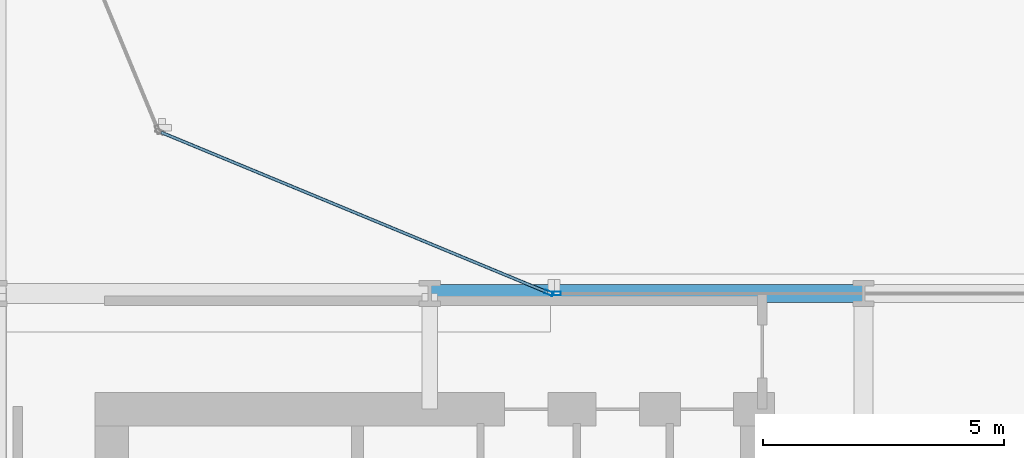
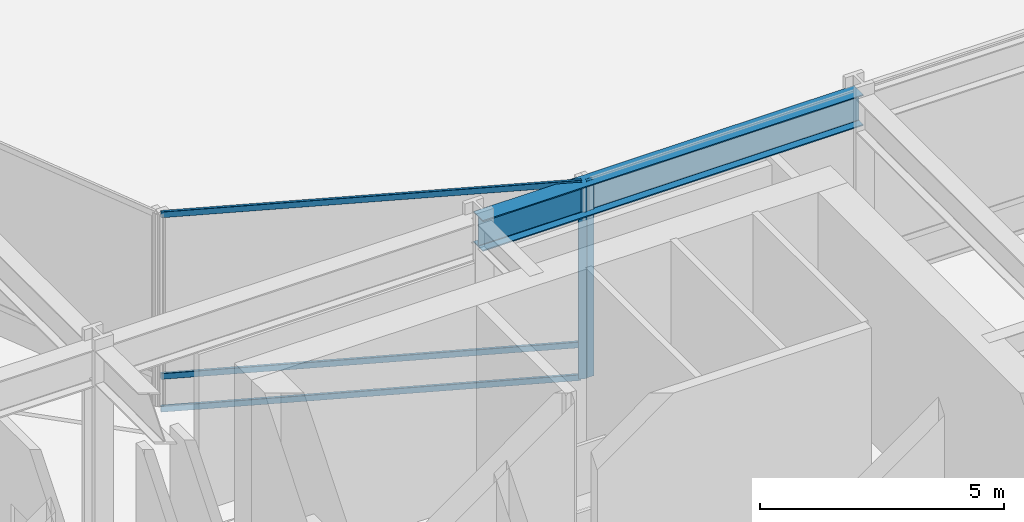
# One storey, part 13 of 37: 5 members, 1 beam, 2 elements without a shape of their own.
"""IFC4 building model written with IfcOpenShell, lengths in metres."""

from ifc_helpers import new_model, si_unit, direction, frame, origin, origin_2d, place, context, subcontext, project, spatial, hollow_rectangle, i_section, extrude, material, layer, layer_set, material_profile, profile_set, type_object, element, aggregate, save


model = new_model("IFC4")

# Units and contexts
model_context = context("Model", 3, precision=1e-05, world=origin(), true_north=direction((0.0, 1.0)))
body_context = subcontext(model_context, "Body", "Model", "MODEL_VIEW")
ifc_project = project(units=[si_unit("LENGTHUNIT", "METRE"), si_unit("AREAUNIT", "SQUARE_METRE"), si_unit("VOLUMEUNIT", "CUBIC_METRE"), si_unit("PLANEANGLEUNIT", "RADIAN"), si_unit("MASSUNIT", "GRAM", prefix="KILO")], contexts=[model_context])

# Site, building, storey
site_placement = place(None, origin())
site = spatial("IfcSite", under=ifc_project, at=site_placement, CompositionType="ELEMENT")
building_placement = place(site_placement, origin())
building = spatial("IfcBuilding", under=site, at=building_placement, Name="Solvaryn Broadcast Tower", CompositionType="ELEMENT")
storey_placement = place(building_placement, frame((0.0, 0.0, 30.800048828125)))
storey = spatial("IfcBuildingStorey", under=building, at=storey_placement, Name="L06", CompositionType="ELEMENT", Elevation=30.800048828125)

# Beam
ifc_material_1 = material(Name="Steel ASTM A992 Grade 50", Category="steel")
ifc_material_profile_1 = material_profile(ifc_material_1, i_section(OverallWidth=0.381103515625, OverallDepth=0.77294921875, WebThickness=0.0166015625, FlangeThickness=0.027099609375, FilletRadius=0.01806640625, at=origin_2d()))
ifc_profile_set_1 = profile_set([ifc_material_profile_1], Name="Steel ASTM A992 Grade 50")
beam_type = type_object("IfcBeamType", Name="BM-SP1-W30X173", PredefinedType="USERDEFINED", material=ifc_profile_set_1)
beam_placement = place(storey_placement, frame((36.0, 27.0, 4.533447265625), z_axis=(1.0, 0.0, 0.0), x_axis=(0.0, 1.0, 0.0)))
element("IfcBeam", 1, at=beam_placement, inside=storey, type_object=beam_type, Name="L06 Spandrel Beam X (36-45 @ Y=27)", ObjectType="SPANDREL", PredefinedType="USERDEFINED", context=body_context, shape_type="SweptSolid", body=[
    extrude(i_section(OverallWidth=0.381103515625, OverallDepth=0.77294921875, WebThickness=0.0166015625, FlangeThickness=0.027099609375, FilletRadius=0.01806640625, at=origin_2d()), origin(), (0.0, 0.0, 1.0), 9.0),
])

# Curtain wall, member
ifc_material_2 = material(Name="Aluminium and Terracotta Unitised Curtain Wall", Category="masonry")
ifc_layer = layer(ifc_material_2, 0.199951171875)
ifc_layer_set = layer_set([ifc_layer], Name="CW-SYS2-LOWMID")
curtain_wall_type = type_object("IfcCurtainWallType", Name="CW-SYS2-LOWMID", PredefinedType="NOTDEFINED", material=ifc_layer_set)
curtain_wall_1_placement = place(storey_placement, origin())
curtain_wall_1 = element("IfcCurtainWall", 2, at=curtain_wall_1_placement, inside=storey, type_object=curtain_wall_type, Name="L06 Curtain Wall CN1", PredefinedType="NOTDEFINED")
ifc_material_3 = material(Name="Anodised Aluminium 6063-T6", Category="aluminium")
ifc_material_profile_2 = material_profile(ifc_material_3, hollow_rectangle(XDim=0.074951171875, YDim=0.179931640625, WallThickness=0.00390625, InnerFilletRadius=0.00390625, OuterFilletRadius=0.008056640625, at=origin_2d()))
ifc_profile_set_2 = profile_set([ifc_material_profile_2], Name="Anodised Aluminium 6063-T6")
member_type_1 = type_object("IfcMemberType", Name="CW-MUL-180", PredefinedType="MULLION", material=ifc_profile_set_2)
member_1_placement = place(storey_placement, frame((38.47216796875, 27.011474609375, 0.0), z_axis=(0.0, 0.0, 1.0), x_axis=(-0.382646127145, -0.923894983957, 0.0)))
member_1 = element("IfcMember", 3, at=member_1_placement, type_object=member_type_1, Name="CWS2 mullion 1", PredefinedType="MULLION", context=body_context, shape_type="SweptSolid", body=[
    extrude(hollow_rectangle(XDim=0.074951171875, YDim=0.179931640625, WallThickness=0.00390625, InnerFilletRadius=0.00390625, OuterFilletRadius=0.008056640625, at=origin_2d()), origin(), (0.0, 0.0, 1.0), 4.919921875),
])

curtain_wall_2_placement = place(storey_placement, origin())
curtain_wall_2 = element("IfcCurtainWall", 4, at=curtain_wall_2_placement, inside=storey, type_object=curtain_wall_type, Name="L06 Curtain Wall IH", PredefinedType="NOTDEFINED")
member_2_placement = place(storey_placement, frame((38.6298828125, 27.0, 0.0), z_axis=(0.0, 0.0, 1.0), x_axis=(0.0, 1.0, 0.0)))
member_2 = element("IfcMember", 5, at=member_2_placement, type_object=member_type_1, Name="CWS2 mullion 1", PredefinedType="MULLION", context=body_context, shape_type="SweptSolid", body=[
    extrude(hollow_rectangle(XDim=0.074951171875, YDim=0.179931640625, WallThickness=0.00390625, InnerFilletRadius=0.00390625, OuterFilletRadius=0.008056640625, at=origin_2d()), origin(), (0.0, 0.0, 1.0), 4.919921875),
])
aggregate(curtain_wall_2, [member_2])

# Member
ifc_material_4 = material(Name="Anodised Aluminium 6063-T6", Category="aluminium")
ifc_material_profile_3 = material_profile(ifc_material_4, hollow_rectangle(XDim=0.06494140625, YDim=0.14990234375, WallThickness=0.00390625, InnerFilletRadius=0.00390625, OuterFilletRadius=0.008056640625, at=origin_2d()))
ifc_profile_set_3 = profile_set([ifc_material_profile_3], Name="Anodised Aluminium 6063-T6")
member_type_2 = type_object("IfcMemberType", Name="CW-TRN-150", PredefinedType="USERDEFINED", material=ifc_profile_set_3)
member_3_placement = place(storey_placement, frame((38.444580078125, 27.02294921875, 0.030029296875), z_axis=(-0.923899282177, 0.382635748975, 0.0), x_axis=(-0.382635748975, -0.923899282177, 0.0)))
member_3 = element("IfcMember", 6, at=member_3_placement, type_object=member_type_2, Name="CWS2 transom 1.1", ObjectType="TRANSOM", PredefinedType="USERDEFINED", context=body_context, shape_type="SweptSolid", body=[
    extrude(hollow_rectangle(XDim=0.06494140625, YDim=0.14990234375, WallThickness=0.00390625, InnerFilletRadius=0.00390625, OuterFilletRadius=0.008056640625, at=origin_2d()), origin(), (0.0, 0.0, 1.0), 8.681884765625),
])

member_4_placement = place(storey_placement, frame((38.444580078125, 27.02294921875, 0.849853515625), z_axis=(-0.923899282177, 0.382635748975, 0.0), x_axis=(-0.382635748975, -0.923899282177, 0.0)))
member_4 = element("IfcMember", 7, at=member_4_placement, type_object=member_type_2, Name="CWS2 transom 1.2", ObjectType="TRANSOM", PredefinedType="USERDEFINED", context=body_context, shape_type="SweptSolid", body=[
    extrude(hollow_rectangle(XDim=0.06494140625, YDim=0.14990234375, WallThickness=0.00390625, InnerFilletRadius=0.00390625, OuterFilletRadius=0.008056640625, at=origin_2d()), origin(), (0.0, 0.0, 1.0), 8.681884765625),
])

member_5_placement = place(storey_placement, frame((38.444580078125, 27.02294921875, 4.889892578125), z_axis=(-0.923899282177, 0.382635748975, 0.0), x_axis=(-0.382635748975, -0.923899282177, 0.0)))
member_5 = element("IfcMember", 8, at=member_5_placement, type_object=member_type_2, Name="CWS2 transom 1.3", ObjectType="TRANSOM", PredefinedType="USERDEFINED", context=body_context, shape_type="SweptSolid", body=[
    extrude(hollow_rectangle(XDim=0.06494140625, YDim=0.14990234375, WallThickness=0.00390625, InnerFilletRadius=0.00390625, OuterFilletRadius=0.008056640625, at=origin_2d()), origin(), (0.0, 0.0, 1.0), 8.681884765625),
])

aggregate(curtain_wall_1, [member_1, member_3, member_4, member_5])

save(model, "model.ifc")
